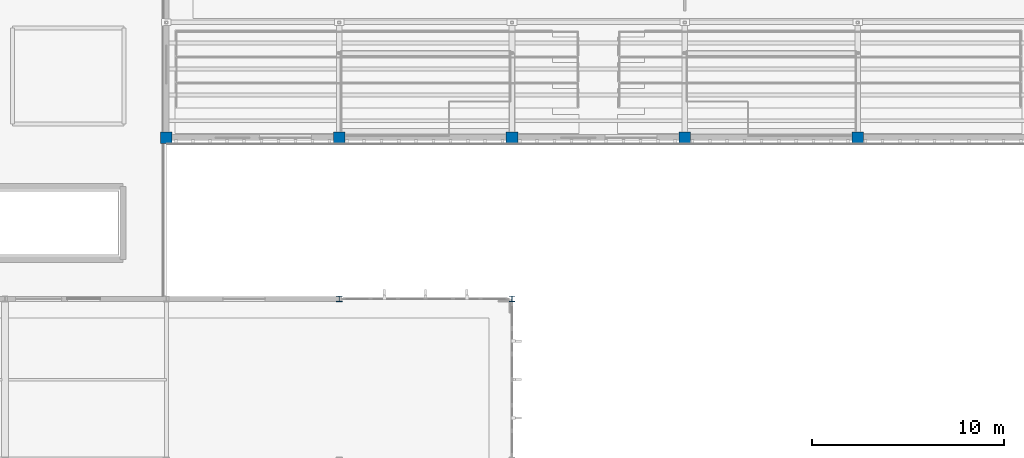
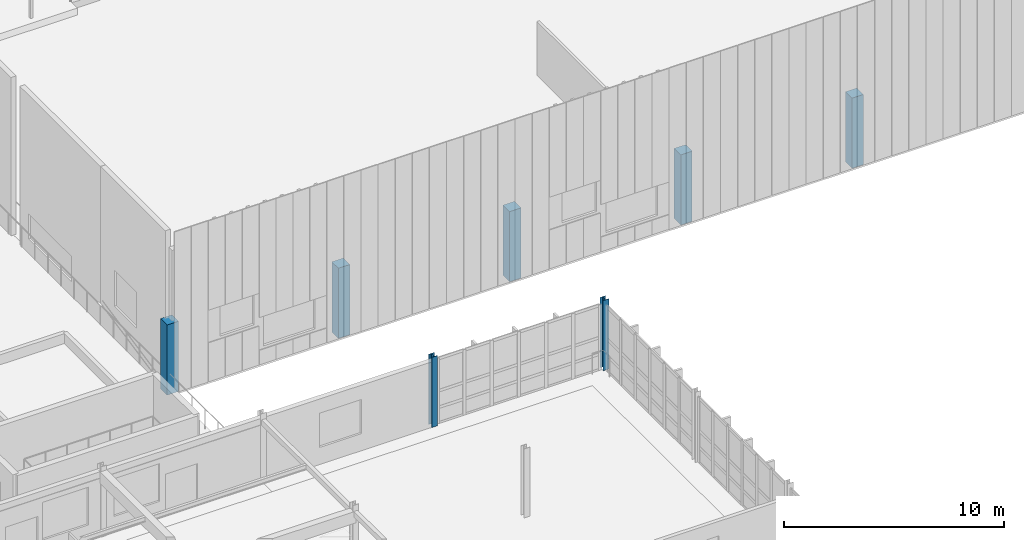
# One storey, part 3 of 67: 7 columns.
"""IFC4 building model written with IfcOpenShell, lengths in metres."""

import ifcopenshell
import ifcopenshell.guid

model = None  # the IFC model being written
_history = None  # IfcOwnerHistory: only IFC2X3 demands one
_inside = {}  # id of a spatial element -> (the spatial element, [elements in it])
_under = {}  # id of a project, library or spatial element -> (it, [spatial elements below it])
_declared = {}  # id of a project -> (the project, [libraries it declares])
_typed = {}  # id of a type object -> (the type object, [elements of that type])
_made_of = {}  # id of a material, layer set ... -> (it, [elements and type objects made of it])


def new_model(schema):
    """Start an empty IFC model of exactly this schema.

    Asked for "IFC4X3", IfcOpenShell would pick the latest addendum, in which some entities
    have other attributes; the version numbers below select the first issue.
    IFC2X3 requires an IfcOwnerHistory on every rooted entity: one is made here for all.
    """
    global model, _history
    if schema == "IFC4X3":
        model = ifcopenshell.file(schema_version=(4, 3, 0, 0))
    else:
        model = ifcopenshell.file(schema=schema)
    _inside.clear()
    _under.clear()
    _declared.clear()
    _typed.clear()
    _made_of.clear()
    _history = None
    if model.schema == "IFC2X3":
        org = make("IfcOrganization", Name="unknown")
        user = make(
            "IfcPersonAndOrganization",
            ThePerson=make("IfcPerson", FamilyName="unknown"),
            TheOrganization=org,
        )
        app = make(
            "IfcApplication",
            ApplicationDeveloper=org,
            Version="unknown",
            ApplicationFullName="unknown",
            ApplicationIdentifier="unknown",
        )
        _history = make(
            "IfcOwnerHistory",
            OwningUser=user,
            OwningApplication=app,
            ChangeAction="ADDED",
            CreationDate=0,
        )
    return model


def make(cls, **values):
    """One entity of the class cls with the attributes given. An attribute that is None is left unset."""
    return model.create_entity(
        cls, **{name: value for name, value in values.items() if value is not None}
    )


def rooted(cls, **values):
    """An entity with a GlobalId (a new one), such as an element, a storey or a relation."""
    return make(cls, GlobalId=ifcopenshell.guid.new(), OwnerHistory=_history, **values)


def si_unit(unit_type, name, prefix=None):
    """IfcSIUnit, for example si_unit("LENGTHUNIT", "METRE", prefix="MILLI")."""
    return make("IfcSIUnit", UnitType=unit_type, Prefix=prefix, Name=name)


def assignment(units):
    """IfcUnitAssignment: the units of a project."""
    return None if units is None else make("IfcUnitAssignment", Units=units)


def point(xyz):
    """IfcCartesianPoint."""
    return None if xyz is None else make("IfcCartesianPoint", Coordinates=xyz)


def direction(xyz):
    """IfcDirection."""
    return None if xyz is None else make("IfcDirection", DirectionRatios=xyz)


def frame(location, z_axis=None, x_axis=None):
    """IfcAxis2Placement3D, a coordinate frame: its origin and axes. An axis left out is left unset."""
    return make(
        "IfcAxis2Placement3D",
        Location=point(location),
        Axis=direction(z_axis),
        RefDirection=direction(x_axis),
    )


def frame_2d(location, x_axis=None):
    """IfcAxis2Placement2D, a coordinate frame in the plane: its origin and x axis."""
    return make(
        "IfcAxis2Placement2D", Location=point(location), RefDirection=direction(x_axis)
    )


def origin():
    """The frame at (0, 0, 0) with its axes left unset."""
    return frame((0.0, 0.0, 0.0))


def origin_2d():
    """The frame at (0, 0) in the plane with its x axis left unset."""
    return frame_2d((0.0, 0.0))


def place(relative_to, where):
    """IfcLocalPlacement: puts the frame where relative to a parent placement (None: the world)."""
    return make(
        "IfcLocalPlacement", PlacementRelTo=relative_to, RelativePlacement=where
    )


def context(
    kind, dimensions, precision=None, world=None, true_north=None, identifier=None
):
    """IfcGeometricRepresentationContext, for example the 3D "Model" context."""
    return make(
        "IfcGeometricRepresentationContext",
        ContextIdentifier=identifier,
        ContextType=kind,
        CoordinateSpaceDimension=dimensions,
        Precision=precision,
        WorldCoordinateSystem=world,
        TrueNorth=true_north,
    )


def subcontext(parent, identifier, kind, view, scale=None):
    """IfcGeometricRepresentationSubContext, for example "Body" below "Model"."""
    return make(
        "IfcGeometricRepresentationSubContext",
        ContextIdentifier=identifier,
        ContextType=kind,
        ParentContext=parent,
        TargetScale=scale,
        TargetView=view,
    )


def project(units=None, contexts=None):
    """IfcProject with its units and contexts."""
    return rooted(
        "IfcProject",
        Name="project",
        RepresentationContexts=contexts,
        UnitsInContext=assignment(units),
    )


def spatial(cls, under=None, at=None, **own):
    """A site, building, storey or space (cls), placed at a placement, below another one or the project."""
    s = rooted(cls, ObjectPlacement=at, **own)
    if under is not None:
        _under.setdefault(under.id(), (under, []))[1].append(s)
    return s


def profile(cls, at=None, kind="AREA", **sizes):
    """A parametric profile (cls). Its sizes go by their IFC names, for example OverallWidth=200.0."""
    return make(cls, ProfileType=kind, Position=at, **sizes)


def rectangle(**sizes):
    """IfcRectangleProfileDef."""
    return profile("IfcRectangleProfileDef", **sizes)


def i_section(**sizes):
    """IfcIShapeProfileDef."""
    return profile("IfcIShapeProfileDef", **sizes)


def extrude(swept, where, along, depth):
    """IfcExtrudedAreaSolid: the profile swept, set in the frame where, extruded along a direction by depth."""
    return make(
        "IfcExtrudedAreaSolid",
        SweptArea=swept,
        Position=where,
        ExtrudedDirection=direction(along),
        Depth=depth,
    )


def shape(context_of_items, identifier, shape_type, items):
    """IfcShapeRepresentation: the items that make up one representation, for example the "Body"."""
    return make(
        "IfcShapeRepresentation",
        ContextOfItems=context_of_items,
        RepresentationIdentifier=identifier,
        RepresentationType=shape_type,
        Items=items,
    )


def material(Name=None, Category=None):
    """IfcMaterial."""
    return make("IfcMaterial", Name=Name, Category=Category)


def material_profile(
    of_material, cross_section, Name=None, Category=None, Priority=None
):
    """IfcMaterialProfile: a cross section and its material."""
    return make(
        "IfcMaterialProfile",
        Name=Name,
        Material=of_material,
        Profile=cross_section,
        Priority=Priority,
        Category=Category,
    )


def profile_set(profiles, Name=None, composite=None):
    """IfcMaterialProfileSet."""
    return make(
        "IfcMaterialProfileSet",
        Name=Name,
        MaterialProfiles=profiles,
        CompositeProfile=composite,
    )


def made_of(thing, what):
    """Note that an element or type object is made of a material, layer set ...; save() writes the relation."""
    if what is not None:
        _made_of.setdefault(what.id(), (what, []))[1].append(thing)
    return thing


def type_object(cls, material=None, **own):
    """A type object (cls), such as IfcWallType, which elements share."""
    return made_of(rooted(cls, **own), material)


def element(
    cls,
    number,
    at=None,
    inside=None,
    cuts=None,
    type_object=None,
    material=None,
    context=None,
    identifier="Body",
    shape_type=None,
    held_by="IfcProductDefinitionShape",
    body=None,
    shapes=None,
    **own,
):
    """One element of the class cls, such as IfcWall. Its Tag is "e" and its number.

    at: its placement. inside: the storey or other place that contains it. cuts: it is an
    opening in that element (IfcRelVoidsElement). A single representation is given by context,
    identifier, shape_type and body (its items); several are given by shapes. held_by: the class
    of the entity that holds the representations. save() writes the other relations.
    """
    e = rooted(cls, Tag="e%d" % number, ObjectPlacement=at, **own)
    if body is not None:
        shapes = [shape(context, identifier, shape_type, body)]
    if shapes is not None:
        e.Representation = make(held_by, Representations=shapes)
    if inside is not None:
        _inside.setdefault(inside.id(), (inside, []))[1].append(e)
    if cuts is not None:
        rooted(
            "IfcRelVoidsElement", RelatingBuildingElement=cuts, RelatedOpeningElement=e
        )
    if type_object is not None:
        _typed.setdefault(type_object.id(), (type_object, []))[1].append(e)
    return made_of(e, material)


def aggregate(whole, parts):
    """IfcRelAggregates: a whole, such as a stair, and the parts it consists of."""
    return rooted("IfcRelAggregates", RelatingObject=whole, RelatedObjects=parts)


def save(model, path):
    """Write the relations noted so far, then the file.

    IfcRelAggregates (storeys below a building ...), IfcRelContainedInSpatialStructure (elements
    in a storey), IfcRelDefinesByType, IfcRelAssociatesMaterial and IfcRelDeclares: one each for
    every whole, place, type object, material and project.
    """
    for whole, parts in _under.values():
        aggregate(whole, parts)
    for where, things in _inside.values():
        rooted(
            "IfcRelContainedInSpatialStructure",
            RelatedElements=things,
            RelatingStructure=where,
        )
    for kind, things in _typed.values():
        rooted("IfcRelDefinesByType", RelatedObjects=things, RelatingType=kind)
    for what, things in _made_of.values():
        rooted("IfcRelAssociatesMaterial", RelatedObjects=things, RelatingMaterial=what)
    for by, libraries in _declared.values():
        rooted("IfcRelDeclares", RelatingContext=by, RelatedDefinitions=libraries)
    model.write(path)


model = new_model("IFC4")

# Units and contexts
model_context = context("Model", 3, precision=1e-05, world=origin(), true_north=direction((0.0, 1.0)))
body_context = subcontext(model_context, "Body", "Model", "MODEL_VIEW")
ifc_project = project(units=[si_unit("LENGTHUNIT", "METRE"), si_unit("AREAUNIT", "SQUARE_METRE"), si_unit("VOLUMEUNIT", "CUBIC_METRE"), si_unit("PLANEANGLEUNIT", "RADIAN"), si_unit("MASSUNIT", "GRAM", prefix="KILO")], contexts=[model_context])

# Site, building, storey
site_placement = place(None, origin())
site = spatial("IfcSite", under=ifc_project, at=site_placement, CompositionType="ELEMENT")
building_placement = place(site_placement, origin())
building = spatial("IfcBuilding", under=site, at=building_placement, Name="Tizgana Railside Sports Hall", CompositionType="ELEMENT")
storey_placement = place(building_placement, frame((0.0, 0.0, 12.0)))
storey = spatial("IfcBuildingStorey", under=building, at=storey_placement, Name="L02", CompositionType="ELEMENT", Elevation=12.0)

# Columns
ifc_material_1 = material(Name="Concrete C40/50", Category="concrete")
ifc_material_profile_1 = material_profile(ifc_material_1, rectangle(XDim=0.60009765625, YDim=0.60009765625, at=origin_2d()), Name="RC 600x600")
ifc_profile_set_1 = profile_set([ifc_material_profile_1], Name="Concrete C40/50")
column_type_1 = type_object("IfcColumnType", Name="Concrete Column RC 600x600", PredefinedType="COLUMN", material=ifc_profile_set_1)
for number, where, z_axis, x_axis, name in (
    (1, (79.800048828125, 40.800048828125, 0.0), (0.0, 0.0, 1.0), (1.0, 0.0, 0.0), "L02 COL-0253"),
    (2, (88.800048828125, 40.800048828125, 0.0), (0.0, 0.0, 1.0), (1.0, 0.0, 0.0), "L02 COL-0282"),
    (3, (97.800048828125, 40.800048828125, 0.0), (0.0, 0.0, 1.0), (1.0, 0.0, 0.0), "L02 COL-0303"),
    (4, (106.800048828125, 40.800048828125, 0.0), (0.0, 0.0, 1.0), (1.0, 0.0, 0.0), "L02 COL-0328"),
    (5, (115.800048828125, 40.800048828125, 0.0), (0.0, 0.0, 1.0), (1.0, 0.0, 0.0), "L02 COL-0349"),
):
    element("IfcColumn", number, at=place(storey_placement, frame(where, z_axis=z_axis, x_axis=x_axis)), inside=storey, type_object=column_type_1, Name=name, PredefinedType="COLUMN", context=body_context, shape_type="SweptSolid", body=[
        extrude(rectangle(XDim=0.60009765625, YDim=0.60009765625, at=origin_2d()), origin(), (0.0, 0.0, 1.0), 3.89990234375),
    ])
ifc_material_2 = material(Name="Steel S355J2", Category="steel")
ifc_material_profile_2 = material_profile(ifc_material_2, i_section(OverallWidth=0.300048828125, OverallDepth=0.300048828125, WebThickness=0.010986328125, FlangeThickness=0.01904296875, FilletRadius=0.027099609375, at=origin_2d()), Name="HEB 300")
ifc_profile_set_2 = profile_set([ifc_material_profile_2], Name="Steel S355J2")
column_type_2 = type_object("IfcColumnType", Name="Steel Column HEB 300", PredefinedType="COLUMN", material=ifc_profile_set_2)
for number, where, z_axis, x_axis, name in (
    (6, (88.800048828125, 32.39990234375, 0.0), (0.0, 0.0, 1.0), (1.0, 0.0, 0.0), "L02 COL-0839"),
    (7, (97.800048828125, 32.39990234375, 0.0), (0.0, 0.0, 1.0), (1.0, 0.0, 0.0), "L02 COL-0859"),
):
    element("IfcColumn", number, at=place(storey_placement, frame(where, z_axis=z_axis, x_axis=x_axis)), inside=storey, type_object=column_type_2, Name=name, PredefinedType="COLUMN", context=body_context, shape_type="SweptSolid", body=[
        extrude(i_section(OverallWidth=0.300048828125, OverallDepth=0.300048828125, WebThickness=0.010986328125, FlangeThickness=0.01904296875, FilletRadius=0.027099609375, at=origin_2d()), origin(), (0.0, 0.0, 1.0), 3.89990234375),
    ])

save(model, "model.ifc")
